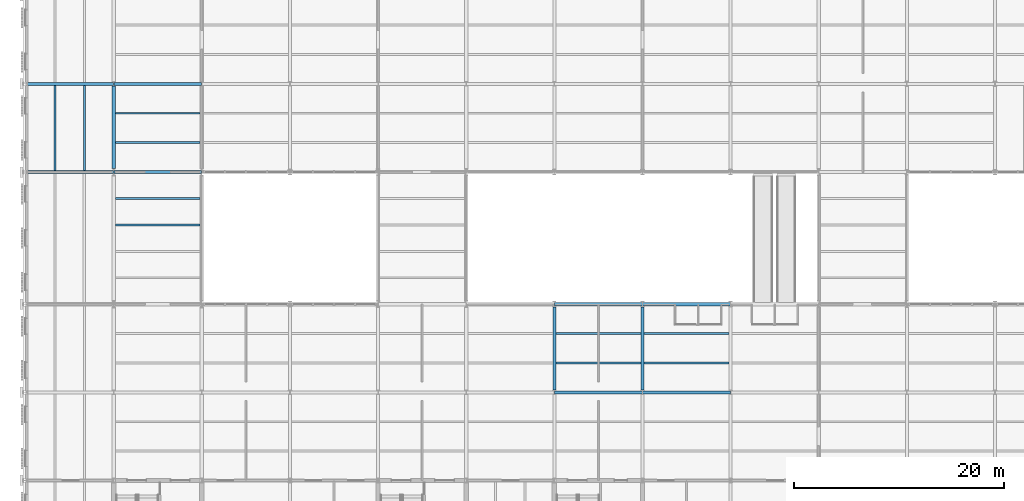
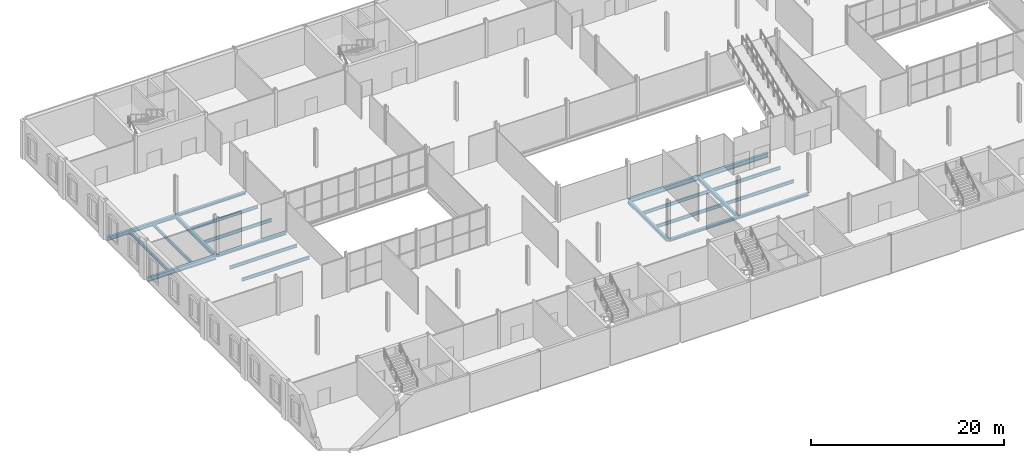
# One storey, part 13 of 57: 21 beams.
"""IFC4 building model written with IfcOpenShell, lengths in metres."""

from ifc_helpers import new_model, si_unit, direction, frame, origin, origin_2d, place, context, subcontext, project, spatial, i_section, extrude, material, material_profile, profile_set, type_object, element, save


model = new_model("IFC4")

# Units and contexts
model_context = context("Model", 3, precision=1e-05, world=origin(), true_north=direction((0.0, 1.0)))
body_context = subcontext(model_context, "Body", "Model", "MODEL_VIEW")
ifc_project = project(units=[si_unit("LENGTHUNIT", "METRE"), si_unit("AREAUNIT", "SQUARE_METRE"), si_unit("VOLUMEUNIT", "CUBIC_METRE"), si_unit("PLANEANGLEUNIT", "RADIAN"), si_unit("MASSUNIT", "GRAM", prefix="KILO")], contexts=[model_context])

# Site, building, storey
site_placement = place(None, origin())
site = spatial("IfcSite", under=ifc_project, at=site_placement, CompositionType="ELEMENT")
building_placement = place(site_placement, origin())
building = spatial("IfcBuilding", under=site, at=building_placement, Name="Galleria Vessillo Department Store", CompositionType="ELEMENT")
storey_placement = place(building_placement, frame((0.0, 0.0, 21.0)))
storey = spatial("IfcBuildingStorey", under=building, at=storey_placement, Name="L04", CompositionType="ELEMENT", Elevation=21.0)

# Beams
ifc_material_1 = material(Name="Steel S355 J2", Category="steel")
ifc_material_profile_1 = material_profile(ifc_material_1, i_section(OverallWidth=0.300048828125, OverallDepth=0.43994140625, WebThickness=0.011474609375, FlangeThickness=0.02099609375, FilletRadius=0.027099609375, at=origin_2d()), Name="HEA 450")
ifc_profile_set_1 = profile_set([ifc_material_profile_1], Name="Steel S355 J2")
beam_type_1 = type_object("IfcBeamType", Name="Floor girder HEA 450", PredefinedType="BEAM", material=ifc_profile_set_1)
beam_1_placement = place(storey_placement, frame((0.2001953125, 46.199951171875, -0.369873046875), z_axis=(1.0, 0.0, 0.0), x_axis=(0.0, 1.0, 0.0)))
element("IfcBeam", 1, at=beam_1_placement, inside=storey, type_object=beam_type_1, Name="S-BM-L04-GI-x46200-200", PredefinedType="BEAM", context=body_context, shape_type="SweptSolid", body=[
    extrude(i_section(OverallWidth=0.300048828125, OverallDepth=0.43994140625, WebThickness=0.011474609375, FlangeThickness=0.02099609375, FilletRadius=0.027099609375, at=origin_2d()), origin(), (0.0, 0.0, 1.0), 8.19287109375),
])
beam_2_placement = place(storey_placement, frame((8.39990234375, 38.134033203125, -0.369873046875), z_axis=(0.0, 1.0, 0.0), x_axis=(-1.0, 0.0, 0.0)))
element("IfcBeam", 2, at=beam_2_placement, inside=storey, type_object=beam_type_1, Name="S-BM-L04-GI-y8400-38134", PredefinedType="BEAM", context=body_context, shape_type="SweptSolid", body=[
    extrude(i_section(OverallWidth=0.300048828125, OverallDepth=0.43994140625, WebThickness=0.011474609375, FlangeThickness=0.02099609375, FilletRadius=0.027099609375, at=origin_2d()), origin(), (0.0, 0.0, 1.0), 7.86572265625),
])
for number, where, z_axis, x_axis, name in (
    (3, (50.39990234375, 17.000244140625, -0.369873046875), (0.0, 1.0, 0.0), (-1.0, 0.0, 0.0), "S-BM-L04-GI-y50400-17000"),
    (4, (58.800048828125, 17.000244140625, -0.369873046875), (0.0, 1.0, 0.0), (-1.0, 0.0, 0.0), "S-BM-L04-GI-y58800-17000"),
):
    element("IfcBeam", number, at=place(storey_placement, frame(where, z_axis=z_axis, x_axis=x_axis)), inside=storey, type_object=beam_type_1, Name=name, PredefinedType="BEAM", context=body_context, shape_type="SweptSolid", body=[
        extrude(i_section(OverallWidth=0.300048828125, OverallDepth=0.43994140625, WebThickness=0.011474609375, FlangeThickness=0.02099609375, FilletRadius=0.027099609375, at=origin_2d()), origin(), (0.0, 0.0, 1.0), 7.937744140625),
    ])
ifc_material_2 = material(Name="Steel S355 J2", Category="steel")
ifc_material_profile_2 = material_profile(ifc_material_2, i_section(OverallWidth=0.300048828125, OverallDepth=0.5400390625, WebThickness=0.012451171875, FlangeThickness=0.02392578125, FilletRadius=0.027099609375, at=origin_2d()), Name="HEA 550")
ifc_profile_set_2 = profile_set([ifc_material_profile_2], Name="Steel S355 J2")
beam_type_2 = type_object("IfcBeamType", Name="Floor girder HEA 550", PredefinedType="BEAM", material=ifc_profile_set_2)
beam_3_placement = place(storey_placement, frame((0.2001953125, 37.800048828125, -0.419921875), z_axis=(1.0, 0.0, 0.0), x_axis=(0.0, 1.0, 0.0)))
element("IfcBeam", 5, at=beam_3_placement, inside=storey, type_object=beam_type_2, Name="S-BM-L04-GI-x37800-200", PredefinedType="BEAM", context=body_context, shape_type="SweptSolid", body=[
    extrude(i_section(OverallWidth=0.300048828125, OverallDepth=0.5400390625, WebThickness=0.012451171875, FlangeThickness=0.02392578125, FilletRadius=0.027099609375, at=origin_2d()), origin(), (0.0, 0.0, 1.0), 8.189208984375),
])
ifc_material_3 = material(Name="Steel S355 J2", Category="steel")
ifc_material_profile_3 = material_profile(ifc_material_3, i_section(OverallWidth=0.179931640625, OverallDepth=0.39990234375, WebThickness=0.008544921875, FlangeThickness=0.013427734375, FilletRadius=0.02099609375, at=origin_2d()), Name="IPE 400")
ifc_profile_set_3 = profile_set([ifc_material_profile_3], Name="Steel S355 J2")
beam_type_3 = type_object("IfcBeamType", Name="Floor joist IPE 400", PredefinedType="JOIST", material=ifc_profile_set_3)
for number, where, z_axis, x_axis, name in (
    (6, (2.800048828125, 37.9501953125, -0.349853515625), (0.0, 1.0, 0.0), (-1.0, 0.0, 0.0), "S-BM-L04-JO-y2800-37950"),
    (7, (5.60009765625, 37.9501953125, -0.349853515625), (0.0, 1.0, 0.0), (-1.0, 0.0, 0.0), "S-BM-L04-JO-y5600-37950"),
):
    element("IfcBeam", number, at=place(storey_placement, frame(where, z_axis=z_axis, x_axis=x_axis)), inside=storey, type_object=beam_type_3, Name=name, PredefinedType="JOIST", context=body_context, shape_type="SweptSolid", body=[
        extrude(i_section(OverallWidth=0.179931640625, OverallDepth=0.39990234375, WebThickness=0.008544921875, FlangeThickness=0.013427734375, FilletRadius=0.02099609375, at=origin_2d()), origin(), (0.0, 0.0, 1.0), 8.099609375),
    ])
for number, where, z_axis, x_axis, name in (
    (8, (8.550048828125, 32.760009765625, -0.349853515625), (1.0, 0.0, 0.0), (0.0, 1.0, 0.0), "S-BM-L04-JO-x32760-8550"),
    (9, (8.550048828125, 35.280029296875, -0.349853515625), (1.0, 0.0, 0.0), (0.0, 1.0, 0.0), "S-BM-L04-JO-x35280-8550"),
    (10, (8.550048828125, 40.60009765625, -0.349853515625), (1.0, 0.0, 0.0), (0.0, 1.0, 0.0), "S-BM-L04-JO-x40600-8550"),
    (11, (8.550048828125, 43.39990234375, -0.349853515625), (1.0, 0.0, 0.0), (0.0, 1.0, 0.0), "S-BM-L04-JO-x43400-8550"),
    (12, (50.550048828125, 19.60009765625, -0.349853515625), (1.0, 0.0, 0.0), (0.0, 1.0, 0.0), "S-BM-L04-JO-x19600-50550"),
    (13, (50.550048828125, 22.39990234375, -0.349853515625), (1.0, 0.0, 0.0), (0.0, 1.0, 0.0), "S-BM-L04-JO-x22400-50550"),
):
    element("IfcBeam", number, at=place(storey_placement, frame(where, z_axis=z_axis, x_axis=x_axis)), inside=storey, type_object=beam_type_3, Name=name, PredefinedType="JOIST", context=body_context, shape_type="SweptSolid", body=[
        extrude(i_section(OverallWidth=0.179931640625, OverallDepth=0.39990234375, WebThickness=0.008544921875, FlangeThickness=0.013427734375, FilletRadius=0.02099609375, at=origin_2d()), origin(), (0.0, 0.0, 1.0), 8.099853515625),
    ])
for number, where, z_axis, x_axis, name in (
    (14, (58.9501953125, 19.60009765625, -0.349853515625), (1.0, 0.0, 0.0), (0.0, 1.0, 0.0), "S-BM-L04-JO-x19600-58950"),
    (15, (58.9501953125, 22.39990234375, -0.349853515625), (1.0, 0.0, 0.0), (0.0, 1.0, 0.0), "S-BM-L04-JO-x22400-58950"),
):
    element("IfcBeam", number, at=place(storey_placement, frame(where, z_axis=z_axis, x_axis=x_axis)), inside=storey, type_object=beam_type_3, Name=name, PredefinedType="JOIST", context=body_context, shape_type="SweptSolid", body=[
        extrude(i_section(OverallWidth=0.179931640625, OverallDepth=0.39990234375, WebThickness=0.008544921875, FlangeThickness=0.013427734375, FilletRadius=0.02099609375, at=origin_2d()), origin(), (0.0, 0.0, 1.0), 8.099609375),
    ])
ifc_material_4 = material(Name="Steel S355 J2", Category="steel")
ifc_material_profile_4 = material_profile(ifc_material_4, i_section(OverallWidth=0.300048828125, OverallDepth=0.330078125, WebThickness=0.009521484375, FlangeThickness=0.0166015625, FilletRadius=0.027099609375, at=origin_2d()), Name="HEA 340")
ifc_profile_set_4 = profile_set([ifc_material_profile_4], Name="Steel S355 J2")
beam_type_4 = type_object("IfcBeamType", Name="Floor tie girder HEA 340", PredefinedType="BEAM", material=ifc_profile_set_4)
for number, where, z_axis, x_axis, name in (
    (16, (50.406982421875, 16.800048828125, -0.31494140625), (1.0, 0.0, 0.0), (0.0, 1.0, 0.0), "S-BM-L04-TI-x16800-50407"),
    (17, (58.806884765625, 16.800048828125, -0.31494140625), (1.0, 0.0, 0.0), (0.0, 1.0, 0.0), "S-BM-L04-TI-x16800-58807"),
):
    element("IfcBeam", number, at=place(storey_placement, frame(where, z_axis=z_axis, x_axis=x_axis)), inside=storey, type_object=beam_type_4, Name=name, PredefinedType="BEAM", context=body_context, shape_type="SweptSolid", body=[
        extrude(i_section(OverallWidth=0.300048828125, OverallDepth=0.330078125, WebThickness=0.009521484375, FlangeThickness=0.0166015625, FilletRadius=0.027099609375, at=origin_2d()), origin(), (0.0, 0.0, 1.0), 8.38623046875),
    ])
beam_4_placement = place(storey_placement, frame((8.41064453125, 37.800048828125, -0.31494140625), z_axis=(1.0, 0.0, 0.0), x_axis=(0.0, 1.0, 0.0)))
element("IfcBeam", 18, at=beam_4_placement, inside=storey, type_object=beam_type_4, Name="S-BM-L04-TI-x37800-8411", PredefinedType="BEAM", context=body_context, shape_type="SweptSolid", body=[
    extrude(i_section(OverallWidth=0.300048828125, OverallDepth=0.330078125, WebThickness=0.009521484375, FlangeThickness=0.0166015625, FilletRadius=0.027099609375, at=origin_2d()), origin(), (0.0, 0.0, 1.0), 8.378662109375),
])
beam_5_placement = place(storey_placement, frame((8.406982421875, 46.199951171875, -0.31494140625), z_axis=(1.0, 0.0, 0.0), x_axis=(0.0, 1.0, 0.0)))
element("IfcBeam", 19, at=beam_5_placement, inside=storey, type_object=beam_type_4, Name="S-BM-L04-TI-x46200-8407", PredefinedType="BEAM", context=body_context, shape_type="SweptSolid", body=[
    extrude(i_section(OverallWidth=0.300048828125, OverallDepth=0.330078125, WebThickness=0.009521484375, FlangeThickness=0.0166015625, FilletRadius=0.027099609375, at=origin_2d()), origin(), (0.0, 0.0, 1.0), 8.38623046875),
])
ifc_material_5 = material(Name="Steel S355 J2", Category="steel")
ifc_material_profile_5 = material_profile(ifc_material_5, i_section(OverallWidth=0.300048828125, OverallDepth=0.5400390625, WebThickness=0.012451171875, FlangeThickness=0.02392578125, FilletRadius=0.027099609375, at=origin_2d()), Name="HEA 550")
ifc_profile_set_5 = profile_set([ifc_material_profile_5], Name="Steel S355 J2")
beam_type_5 = type_object("IfcBeamType", Name="Trimmer beam HEA 550", PredefinedType="BEAM", material=ifc_profile_set_5)
beam_6_placement = place(storey_placement, frame((50.41064453125, 25.199951171875, -0.419921875), z_axis=(1.0, 0.0, 0.0), x_axis=(0.0, 1.0, 0.0)))
element("IfcBeam", 20, at=beam_6_placement, inside=storey, type_object=beam_type_5, Name="S-BM-L04-TR-x25200-50411", PredefinedType="BEAM", context=body_context, shape_type="SweptSolid", body=[
    extrude(i_section(OverallWidth=0.300048828125, OverallDepth=0.5400390625, WebThickness=0.012451171875, FlangeThickness=0.02392578125, FilletRadius=0.027099609375, at=origin_2d()), origin(), (0.0, 0.0, 1.0), 8.378662109375),
])
beam_7_placement = place(storey_placement, frame((58.810546875, 25.199951171875, -0.419921875), z_axis=(1.0, 0.0, 0.0), x_axis=(0.0, 1.0, 0.0)))
element("IfcBeam", 21, at=beam_7_placement, inside=storey, type_object=beam_type_5, Name="S-BM-L04-TR-x25200-58811", PredefinedType="BEAM", context=body_context, shape_type="SweptSolid", body=[
    extrude(i_section(OverallWidth=0.300048828125, OverallDepth=0.5400390625, WebThickness=0.012451171875, FlangeThickness=0.02392578125, FilletRadius=0.027099609375, at=origin_2d()), origin(), (0.0, 0.0, 1.0), 8.37890625),
])

save(model, "model.ifc")
